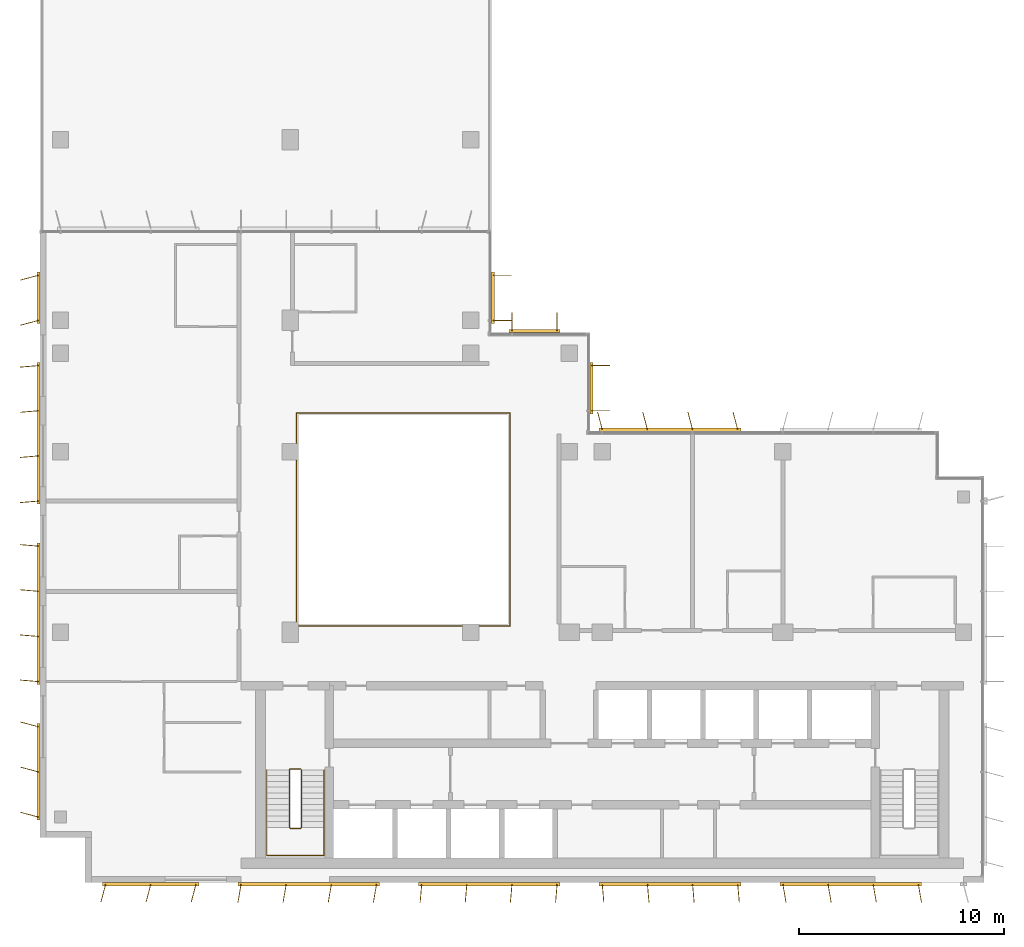
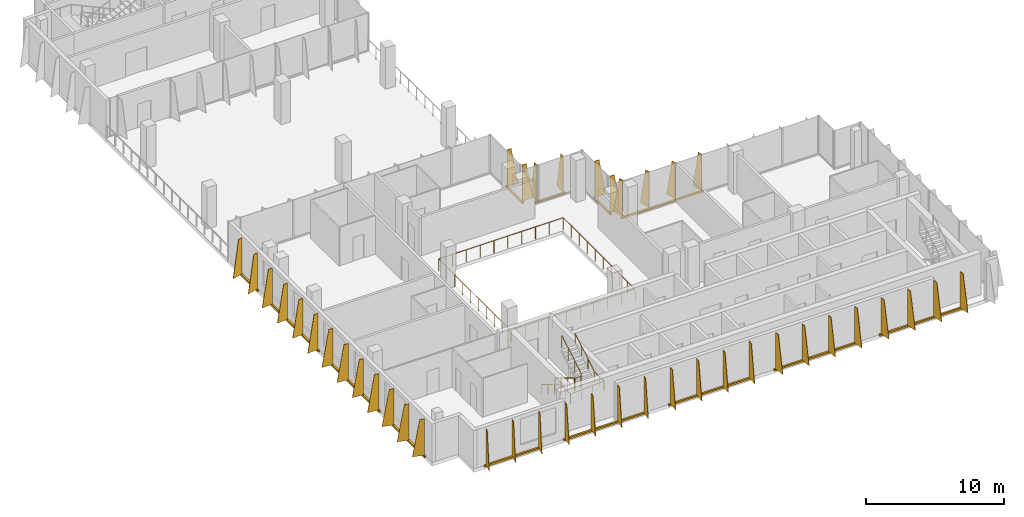
# One storey, part 13 of 15: 13 shading devices, 3 railings.
"""IFC4 building model written with IfcOpenShell, lengths in metres."""

from ifc_helpers import new_model, si_unit, direction, frame, origin, origin_2d, place, context, subcontext, project, spatial, polyline, rectangle, circle, outline, extrude, source, transform, mapped, material, layer, layer_set, type_object, element, save


model = new_model("IFC4")

# Units and contexts
model_context = context("Model", 3, precision=1e-05, world=origin(), true_north=direction((0.0, 1.0)))
body_context = subcontext(model_context, "Body", "Model", "MODEL_VIEW")
ifc_project = project(units=[si_unit("LENGTHUNIT", "METRE"), si_unit("AREAUNIT", "SQUARE_METRE"), si_unit("VOLUMEUNIT", "CUBIC_METRE"), si_unit("PLANEANGLEUNIT", "RADIAN"), si_unit("MASSUNIT", "GRAM", prefix="KILO")], contexts=[model_context])

# Site, building, storey
site_placement = place(None, origin())
site = spatial("IfcSite", under=ifc_project, at=site_placement, CompositionType="ELEMENT")
building_placement = place(site_placement, origin())
building = spatial("IfcBuilding", under=site, at=building_placement, Name="Kemantara Hotel Tower", CompositionType="ELEMENT")
storey_placement = place(building_placement, frame((0.0, 0.0, 241.300048828125)))
storey = spatial("IfcBuildingStorey", under=building, at=storey_placement, Name="L60", CompositionType="ELEMENT", Elevation=241.300048828125)

# Railings
ifc_material_1 = material(Name="Stainless steel and laminated glass balustrade", Category="steel")
railing_type_1 = type_object("IfcRailingType", Name="ATRIUM GUARD 1100", PredefinedType="GUARDRAIL", material=ifc_material_1)
railing_1_placement = place(storey_placement, frame((12.56005859375, 12.5, 0.0)))
element("IfcRailing", 1, at=railing_1_placement, inside=storey, type_object=railing_type_1, Name="ATRIUM GUARD L60", PredefinedType="GUARDRAIL", context=body_context, shape_type="SweptSolid", body=[
    extrude(circle(Radius=0.02490234375, at=origin_2d()), frame((0.0, 0.0, 1.0751953125), z_axis=(1.0, 0.0, 0.0), x_axis=(0.0, 1.0, 0.0)), (0.0, 0.0, 1.0), 10.33984375),
    extrude(circle(Radius=0.02490234375, at=origin_2d()), frame((10.33984375, 0.0, 1.0751953125), z_axis=(0.0, 1.0, 0.0), x_axis=(-1.0, 0.0, 0.0)), (0.0, 0.0, 1.0), 10.39990234375),
    extrude(circle(Radius=0.02490234375, at=origin_2d()), frame((10.33984375, 10.39990234375, 1.0751953125), z_axis=(-1.0, 0.0, 0.0), x_axis=(0.0, -1.0, 0.0)), (0.0, 0.0, 1.0), 10.39990234375),
    extrude(circle(Radius=0.02490234375, at=origin_2d()), frame((-0.06005859375, 10.39990234375, 1.0751953125), z_axis=(0.0, -1.0, 0.0), x_axis=(1.0, 0.0, 0.0)), (0.0, 0.0, 1.0), 10.39990234375),
    extrude(circle(Radius=0.02001953125, at=origin_2d()), origin(), (0.0, 0.0, 1.0), 1.050048828125),
    extrude(circle(Radius=0.02001953125, at=origin_2d()), frame((1.14892578125, 0.0, 0.0)), (0.0, 0.0, 1.0), 1.050048828125),
    extrude(circle(Radius=0.02001953125, at=origin_2d()), frame((2.2978515625, 0.0, 0.0)), (0.0, 0.0, 1.0), 1.050048828125),
    extrude(circle(Radius=0.02001953125, at=origin_2d()), frame((3.446533203125, 0.0, 0.0)), (0.0, 0.0, 1.0), 1.050048828125),
    extrude(circle(Radius=0.02001953125, at=origin_2d()), frame((4.595458984375, 0.0, 0.0)), (0.0, 0.0, 1.0), 1.050048828125),
    extrude(circle(Radius=0.02001953125, at=origin_2d()), frame((5.744384765625, 0.0, 0.0)), (0.0, 0.0, 1.0), 1.050048828125),
    extrude(circle(Radius=0.02001953125, at=origin_2d()), frame((6.893310546875, 0.0, 0.0)), (0.0, 0.0, 1.0), 1.050048828125),
    extrude(circle(Radius=0.02001953125, at=origin_2d()), frame((8.0419921875, 0.0, 0.0)), (0.0, 0.0, 1.0), 1.050048828125),
    extrude(circle(Radius=0.02001953125, at=origin_2d()), frame((9.19091796875, 0.0, 0.0)), (0.0, 0.0, 1.0), 1.050048828125),
    extrude(circle(Radius=0.02001953125, at=origin_2d()), frame((10.33984375, 0.0, 0.0)), (0.0, 0.0, 1.0), 1.050048828125),
    extrude(circle(Radius=0.02001953125, at=origin_2d()), frame((10.33984375, 1.155517578125, 0.0)), (0.0, 0.0, 1.0), 1.050048828125),
    extrude(circle(Radius=0.02001953125, at=origin_2d()), frame((10.33984375, 2.31103515625, 0.0)), (0.0, 0.0, 1.0), 1.050048828125),
    extrude(circle(Radius=0.02001953125, at=origin_2d()), frame((10.33984375, 3.466552734375, 0.0)), (0.0, 0.0, 1.0), 1.050048828125),
    extrude(circle(Radius=0.02001953125, at=origin_2d()), frame((10.33984375, 4.6220703125, 0.0)), (0.0, 0.0, 1.0), 1.050048828125),
    extrude(circle(Radius=0.02001953125, at=origin_2d()), frame((10.33984375, 5.77783203125, 0.0)), (0.0, 0.0, 1.0), 1.050048828125),
    extrude(circle(Radius=0.02001953125, at=origin_2d()), frame((10.33984375, 6.933349609375, 0.0)), (0.0, 0.0, 1.0), 1.050048828125),
    extrude(circle(Radius=0.02001953125, at=origin_2d()), frame((10.33984375, 8.0888671875, 0.0)), (0.0, 0.0, 1.0), 1.050048828125),
    extrude(circle(Radius=0.02001953125, at=origin_2d()), frame((10.33984375, 9.244384765625, 0.0)), (0.0, 0.0, 1.0), 1.050048828125),
    extrude(circle(Radius=0.02001953125, at=origin_2d()), frame((10.33984375, 10.39990234375, 0.0)), (0.0, 0.0, 1.0), 1.050048828125),
    extrude(circle(Radius=0.02001953125, at=origin_2d()), frame((9.184326171875, 10.39990234375, 0.0)), (0.0, 0.0, 1.0), 1.050048828125),
    extrude(circle(Radius=0.02001953125, at=origin_2d()), frame((8.02880859375, 10.39990234375, 0.0)), (0.0, 0.0, 1.0), 1.050048828125),
    extrude(circle(Radius=0.02001953125, at=origin_2d()), frame((6.873291015625, 10.39990234375, 0.0)), (0.0, 0.0, 1.0), 1.050048828125),
    extrude(circle(Radius=0.02001953125, at=origin_2d()), frame((5.7177734375, 10.39990234375, 0.0)), (0.0, 0.0, 1.0), 1.050048828125),
    extrude(circle(Radius=0.02001953125, at=origin_2d()), frame((4.56201171875, 10.39990234375, 0.0)), (0.0, 0.0, 1.0), 1.050048828125),
    extrude(circle(Radius=0.02001953125, at=origin_2d()), frame((3.406494140625, 10.39990234375, 0.0)), (0.0, 0.0, 1.0), 1.050048828125),
    extrude(circle(Radius=0.02001953125, at=origin_2d()), frame((2.2509765625, 10.39990234375, 0.0)), (0.0, 0.0, 1.0), 1.050048828125),
    extrude(circle(Radius=0.02001953125, at=origin_2d()), frame((1.095458984375, 10.39990234375, 0.0)), (0.0, 0.0, 1.0), 1.050048828125),
    extrude(circle(Radius=0.02001953125, at=origin_2d()), frame((-0.06005859375, 10.39990234375, 0.0)), (0.0, 0.0, 1.0), 1.050048828125),
    extrude(circle(Radius=0.02001953125, at=origin_2d()), frame((-0.06005859375, 9.244384765625, 0.0)), (0.0, 0.0, 1.0), 1.050048828125),
    extrude(circle(Radius=0.02001953125, at=origin_2d()), frame((-0.06005859375, 8.0888671875, 0.0)), (0.0, 0.0, 1.0), 1.050048828125),
    extrude(circle(Radius=0.02001953125, at=origin_2d()), frame((-0.06005859375, 6.933349609375, 0.0)), (0.0, 0.0, 1.0), 1.050048828125),
    extrude(circle(Radius=0.02001953125, at=origin_2d()), frame((-0.06005859375, 5.77783203125, 0.0)), (0.0, 0.0, 1.0), 1.050048828125),
    extrude(circle(Radius=0.02001953125, at=origin_2d()), frame((-0.06005859375, 4.6220703125, 0.0)), (0.0, 0.0, 1.0), 1.050048828125),
    extrude(circle(Radius=0.02001953125, at=origin_2d()), frame((-0.06005859375, 3.466552734375, 0.0)), (0.0, 0.0, 1.0), 1.050048828125),
    extrude(circle(Radius=0.02001953125, at=origin_2d()), frame((-0.06005859375, 2.31103515625, 0.0)), (0.0, 0.0, 1.0), 1.050048828125),
    extrude(circle(Radius=0.02001953125, at=origin_2d()), frame((-0.06005859375, 1.155517578125, 0.0)), (0.0, 0.0, 1.0), 1.050048828125),
    extrude(circle(Radius=0.02001953125, at=origin_2d()), frame((-0.06005859375, 0.0, 0.0)), (0.0, 0.0, 1.0), 1.050048828125),
])
ifc_material_2 = material(Name="Stainless steel balustrade", Category="steel")
railing_type_2 = type_object("IfcRailingType", Name="Stair guard 1100 mm", PredefinedType="GUARDRAIL", material=ifc_material_2)
railing_2_placement = place(storey_placement, frame((12.75, 5.5, 3.699951171875)))
element("IfcRailing", 2, at=railing_2_placement, inside=storey, type_object=railing_type_2, Name="L60 ST1 stair guard 1", PredefinedType="GUARDRAIL", context=body_context, shape_type="SweptSolid", body=[
    extrude(circle(Radius=0.02392578125, at=origin_2d()), frame((0.0, 0.0, 1.076171875), z_axis=(0.0, -0.857242210791, -0.514913383045), x_axis=(1.0, 0.0, 0.0)), (0.0, 0.0, 1.0), 3.266357421875),
    extrude(circle(Radius=0.02392578125, at=origin_2d()), frame((0.0, -2.800048828125, -0.60595703125), z_axis=(-0.274243871929, -0.274243871929, -0.92172696468), x_axis=(0.707106781187, -0.707106781187, 0.0)), (0.0, 0.0, 1.0), 0.1826171875),
    extrude(circle(Radius=0.02392578125, at=origin_2d()), frame((-0.050048828125, -2.85009765625, -0.77392578125), z_axis=(-1.0, 0.0, 0.0), x_axis=(0.0, -1.0, 0.0)), (0.0, 0.0, 1.0), 0.5),
    extrude(circle(Radius=0.02392578125, at=origin_2d()), frame((-0.550048828125, -2.85009765625, -0.77392578125), z_axis=(-0.707106781187, 0.707106781187, 0.0), x_axis=(-0.707106781187, -0.707106781187, 0.0)), (0.0, 0.0, 1.0), 0.07080078125),
    extrude(circle(Radius=0.02392578125, at=origin_2d()), frame((-0.60009765625, -2.800048828125, -0.77392578125), z_axis=(0.0, 0.857275202839, -0.514858452973), x_axis=(-1.0, 0.0, 0.0)), (0.0, 0.0, 1.0), 3.26611328125),
    extrude(circle(Radius=0.02392578125, at=origin_2d()), frame((-0.60009765625, 0.0, -2.45556640625), z_axis=(0.274243871929, 0.274243871929, -0.92172696468), x_axis=(-0.707106781187, 0.707106781187, 0.0)), (0.0, 0.0, 1.0), 0.1826171875),
    extrude(circle(Radius=0.02392578125, at=origin_2d()), frame((-0.550048828125, 0.050048828125, -2.6240234375), z_axis=(1.0, 0.0, 0.0), x_axis=(0.0, 1.0, 0.0)), (0.0, 0.0, 1.0), 0.5),
    extrude(circle(Radius=0.02099609375, at=origin_2d()), origin(), (0.0, 0.0, 1.0), 1.052001953125),
    extrude(circle(Radius=0.02099609375, at=origin_2d()), frame((0.0, -0.933349609375, -0.560546875)), (0.0, 0.0, 1.0), 1.052001953125),
    extrude(circle(Radius=0.02099609375, at=origin_2d()), frame((0.0, -1.86669921875, -1.121337890625)), (0.0, 0.0, 1.0), 1.052001953125),
    extrude(circle(Radius=0.02099609375, at=origin_2d()), frame((0.0, -2.800048828125, -1.681884765625)), (0.0, 0.0, 1.0), 1.052001953125),
    extrude(circle(Radius=0.02099609375, at=origin_2d()), frame((-0.050048828125, -2.85009765625, -1.85009765625)), (0.0, 0.0, 1.0), 1.052001953125),
    extrude(circle(Radius=0.02099609375, at=origin_2d()), frame((-0.550048828125, -2.85009765625, -1.85009765625)), (0.0, 0.0, 1.0), 1.052001953125),
    extrude(circle(Radius=0.02099609375, at=origin_2d()), frame((-0.60009765625, -2.800048828125, -1.85009765625)), (0.0, 0.0, 1.0), 1.052001953125),
    extrude(circle(Radius=0.02099609375, at=origin_2d()), frame((-0.60009765625, -1.86669921875, -2.41064453125)), (0.0, 0.0, 1.0), 1.052001953125),
    extrude(circle(Radius=0.02099609375, at=origin_2d()), frame((-0.60009765625, -0.933349609375, -2.97119140625)), (0.0, 0.0, 1.0), 1.052001953125),
    extrude(circle(Radius=0.02099609375, at=origin_2d()), frame((-0.60009765625, 0.0, -3.53173828125)), (0.0, 0.0, 1.0), 1.052001953125),
    extrude(circle(Radius=0.02099609375, at=origin_2d()), frame((-0.550048828125, 0.050048828125, -3.699951171875)), (0.0, 0.0, 1.0), 1.052001953125),
    extrude(circle(Radius=0.02099609375, at=origin_2d()), frame((-0.050048828125, 0.050048828125, -3.699951171875)), (0.0, 0.0, 1.0), 1.052001953125),
])
railing_type_3 = type_object("IfcRailingType", Name="Stair handrail 900 mm", PredefinedType="HANDRAIL", material=ifc_material_2)
railing_3_placement = place(storey_placement, frame((11.050048828125, 5.5, 0.168212890625)))
element("IfcRailing", 3, at=railing_3_placement, inside=storey, type_object=railing_type_3, Name="L60 ST1 stair handrail 1", PredefinedType="HANDRAIL", context=body_context, shape_type="SweptSolid", body=[
    extrude(circle(Radius=0.02392578125, at=origin_2d()), frame((0.0, 0.0, 0.8759765625), z_axis=(0.0, -0.857275202839, 0.514858452973), x_axis=(1.0, 0.0, 0.0)), (0.0, 0.0, 1.0), 3.26611328125),
    extrude(circle(Radius=0.02392578125, at=origin_2d()), frame((0.0, -2.800048828125, 2.5576171875), z_axis=(0.0, -1.0, 0.0), x_axis=(1.0, 0.0, 0.0)), (0.0, 0.0, 1.0), 1.3798828125),
    extrude(circle(Radius=0.02392578125, at=origin_2d()), frame((0.0, -4.179931640625, 2.5576171875), z_axis=(0.998200367801, 0.0, 0.059966871865), x_axis=(0.0, 1.0, 0.0)), (0.0, 0.0, 1.0), 2.80517578125),
    extrude(circle(Radius=0.02392578125, at=origin_2d()), frame((2.800048828125, -4.179931640625, 2.7255859375), z_axis=(0.0, 1.0, 0.0), x_axis=(-1.0, 0.0, 0.0)), (0.0, 0.0, 1.0), 1.3798828125),
    extrude(circle(Radius=0.02392578125, at=origin_2d()), frame((2.800048828125, -2.800048828125, 2.7255859375), z_axis=(0.0, 0.857242210791, 0.514913383045), x_axis=(-1.0, 0.0, 0.0)), (0.0, 0.0, 1.0), 3.266357421875),
    extrude(circle(Radius=0.02099609375, at=origin_2d()), origin(), (0.0, 0.0, 1.0), 0.851806640625),
    extrude(circle(Radius=0.02099609375, at=origin_2d()), frame((0.0, -0.933349609375, 0.560546875)), (0.0, 0.0, 1.0), 0.851806640625),
    extrude(circle(Radius=0.02099609375, at=origin_2d()), frame((0.0, -1.86669921875, 1.12109375)), (0.0, 0.0, 1.0), 0.851806640625),
    extrude(circle(Radius=0.02099609375, at=origin_2d()), frame((0.0, -2.800048828125, 1.681640625)), (0.0, 0.0, 1.0), 0.851806640625),
    extrude(circle(Radius=0.02099609375, at=origin_2d()), frame((0.0, -3.489990234375, 1.681640625)), (0.0, 0.0, 1.0), 0.851806640625),
    extrude(circle(Radius=0.02099609375, at=origin_2d()), frame((0.0, -4.179931640625, 1.681640625)), (0.0, 0.0, 1.0), 0.851806640625),
    extrude(circle(Radius=0.02099609375, at=origin_2d()), frame((0.933349609375, -4.179931640625, 1.73779296875)), (0.0, 0.0, 1.0), 0.851806640625),
    extrude(circle(Radius=0.02099609375, at=origin_2d()), frame((1.86669921875, -4.179931640625, 1.793701171875)), (0.0, 0.0, 1.0), 0.851806640625),
    extrude(circle(Radius=0.02099609375, at=origin_2d()), frame((2.800048828125, -4.179931640625, 1.849853515625)), (0.0, 0.0, 1.0), 0.851806640625),
    extrude(circle(Radius=0.02099609375, at=origin_2d()), frame((2.800048828125, -3.489990234375, 1.849853515625)), (0.0, 0.0, 1.0), 0.851806640625),
    extrude(circle(Radius=0.02099609375, at=origin_2d()), frame((2.800048828125, -2.800048828125, 1.849853515625)), (0.0, 0.0, 1.0), 0.851806640625),
    extrude(circle(Radius=0.02099609375, at=origin_2d()), frame((2.800048828125, -1.86669921875, 2.410400390625)), (0.0, 0.0, 1.0), 0.851806640625),
    extrude(circle(Radius=0.02099609375, at=origin_2d()), frame((2.800048828125, -0.933349609375, 2.97119140625)), (0.0, 0.0, 1.0), 0.851806640625),
    extrude(circle(Radius=0.02099609375, at=origin_2d()), frame((2.800048828125, 0.0, 3.53173828125)), (0.0, 0.0, 1.0), 0.851806640625),
])

# Shading devices
ifc_material_3 = material(Name="Perforated aluminium plate 4 mm bronze anodised", Category="aluminium")
ifc_layer_1 = layer(ifc_material_3, 0.0400390625)
ifc_layer_set_1 = layer_set([ifc_layer_1], Name="Perforated aluminium plate 4 mm bronze anodised")
shading_device_type_1 = type_object("IfcShadingDeviceType", Name="SCREEN FIN CASSETTE, 3 BLADES AT -15.0 DEG, 3200 HIGH", PredefinedType="USERDEFINED", material=ifc_layer_set_1)
shared_shape_1 = source(origin(), body_context, "Body", "SweptSolid", [
    extrude(rectangle(XDim=4.699951171875, YDim=0.14990234375, at=origin_2d()), frame((2.199951171875, -0.074951171875, -0.14990234375), z_axis=(0.0, 0.0, 1.0), x_axis=(1.0, 0.0, 0.0)), (0.0, 0.0, 1.0), 0.14990234375),
    extrude(outline(polyline([(0.0, 0.0), (0.89990234375, 0.0), (0.35009765625, 3.199951171875), (0.0, 3.199951171875), (0.0, 0.0)])), frame((0.019287109375, -0.080078125, 0.0), z_axis=(-0.966437683387, 0.256901156343, 0.0), x_axis=(-0.256901156343, -0.966437683387, 0.0)), (0.0, 0.0, 1.0), 0.039794921875),
    extrude(outline(polyline([(0.0, 0.0), (0.89990234375, 0.0), (0.35009765625, 3.199951171875), (0.0, 3.199951171875), (0.0, 0.0)])), frame((2.21923828125, -0.080078125, 0.0), z_axis=(-0.966437683387, 0.256901156343, 0.0), x_axis=(-0.256901156343, -0.966437683387, 0.0)), (0.0, 0.0, 1.0), 0.039794921875),
    extrude(outline(polyline([(0.0, 0.0), (0.89990234375, 0.0), (0.35009765625, 3.199951171875), (0.0, 3.199951171875), (0.0, 0.0)])), frame((4.41943359375, -0.080078125, 0.0), z_axis=(-0.966837822169, 0.255391122837, 0.0), x_axis=(-0.255391122837, -0.966837822169, 0.0)), (0.0, 0.0, 1.0), 0.0400390625),
])
for number, where, z_axis, x_axis, name in (
    (4, (0.0, 7.60009765625, 0.099853515625), (0.0, 0.0, 1.0), (0.0, -1.0, 0.0), "SCREEN FIN CASSETTE L60 T4P-R02-4"),
    (5, (3.199951171875, 0.0, 0.099853515625), (0.0, 0.0, 1.0), (1.0, 0.0, 0.0), "SCREEN FIN CASSETTE L60 T4P-R05-1"),
):
    element("IfcShadingDevice", number, at=place(storey_placement, frame(where, z_axis=z_axis, x_axis=x_axis)), inside=storey, type_object=shading_device_type_1, Name=name, ObjectType="SCREEN FIN", PredefinedType="USERDEFINED", context=body_context, shape_type="MappedRepresentation", body=[
        mapped(shared_shape_1, transform((0.0, 0.0, 0.0))),
    ])
ifc_layer_2 = layer(ifc_material_3, 0.0400390625)
ifc_layer_set_2 = layer_set([ifc_layer_2], Name="Perforated aluminium plate 4 mm bronze anodised")
shading_device_type_2 = type_object("IfcShadingDeviceType", Name="SCREEN FIN CASSETTE, 4 BLADES AT -10.0 DEG, 3200 HIGH", PredefinedType="USERDEFINED", material=ifc_layer_set_2)
shared_shape_2 = source(origin(), body_context, "Body", "SweptSolid", [
    extrude(rectangle(XDim=6.89990234375, YDim=0.14990234375, at=origin_2d()), frame((3.300048828125, -0.074951171875, -0.14990234375), z_axis=(0.0, 0.0, 1.0), x_axis=(1.0, 0.0, 0.0)), (0.0, 0.0, 1.0), 0.14990234375),
    extrude(outline(polyline([(0.0, 0.0), (0.89990234375, 0.0), (0.35009765625, 3.199951171875), (0.0, 3.199951171875), (0.0, 0.0)])), frame((0.019775390625, -0.078369140625, 0.0), z_axis=(-0.985389793052, 0.170314285219, 0.0), x_axis=(-0.170314285219, -0.985389793052, 0.0)), (0.0, 0.0, 1.0), 0.0400390625),
    extrude(outline(polyline([(0.0, 0.0), (0.89990234375, 0.0), (0.35009765625, 3.199951171875), (0.0, 3.199951171875), (0.0, 0.0)])), frame((2.2197265625, -0.078369140625, 0.0), z_axis=(-0.98521175482, 0.171341174751, 0.0), x_axis=(-0.171341174751, -0.98521175482, 0.0)), (0.0, 0.0, 1.0), 0.039794921875),
    extrude(outline(polyline([(0.0, 0.0), (0.89990234375, 0.0), (0.35009765625, 3.199951171875), (0.0, 3.199951171875), (0.0, 0.0)])), frame((4.419677734375, -0.078369140625, 0.0), z_axis=(-0.98521175482, 0.171341174751, 0.0), x_axis=(-0.171341174751, -0.98521175482, 0.0)), (0.0, 0.0, 1.0), 0.039794921875),
    extrude(outline(polyline([(0.0, 0.0), (0.89990234375, 0.0), (0.35009765625, 3.199951171875), (0.0, 3.199951171875), (0.0, 0.0)])), frame((6.61962890625, -0.078369140625, 0.0), z_axis=(-0.98521175482, 0.171341174751, 0.0), x_axis=(-0.171341174751, -0.98521175482, 0.0)), (0.0, 0.0, 1.0), 0.039794921875),
])
shading_device_1_placement = place(storey_placement, frame((9.800048828125, 0.0, 0.099853515625), z_axis=(0.0, 0.0, 1.0), x_axis=(1.0, 0.0, 0.0)))
element("IfcShadingDevice", 6, at=shading_device_1_placement, inside=storey, type_object=shading_device_type_2, Name="SCREEN FIN CASSETTE L60 T4P-R05-2", ObjectType="SCREEN FIN", PredefinedType="USERDEFINED", context=body_context, shape_type="MappedRepresentation", body=[
    mapped(shared_shape_2, transform((0.0, 0.0, 0.0))),
])
ifc_layer_3 = layer(ifc_material_3, 0.0400390625)
ifc_layer_set_3 = layer_set([ifc_layer_3], Name="Perforated aluminium plate 4 mm bronze anodised")
shading_device_type_3 = type_object("IfcShadingDeviceType", Name="SCREEN FIN CASSETTE, 4 BLADES AT -5.0 DEG, 3200 HIGH", PredefinedType="USERDEFINED", material=ifc_layer_set_3)
shared_shape_3 = source(origin(), body_context, "Body", "SweptSolid", [
    extrude(rectangle(XDim=6.89990234375, YDim=0.14990234375, at=origin_2d()), frame((3.300048828125, -0.074951171875, -0.14990234375), z_axis=(0.0, 0.0, 1.0), x_axis=(1.0, 0.0, 0.0)), (0.0, 0.0, 1.0), 0.14990234375),
    extrude(outline(polyline([(0.0, 0.0), (0.89990234375, 0.0), (0.35009765625, 3.199951171875), (0.0, 3.199951171875), (0.0, 0.0)])), frame((0.02001953125, -0.07666015625, 0.0), z_axis=(-0.996376129781, 0.085056498884, 0.0), x_axis=(-0.085056498884, -0.996376129781, 0.0)), (0.0, 0.0, 1.0), 0.040283203125),
    extrude(outline(polyline([(0.0, 0.0), (0.89990234375, 0.0), (0.35009765625, 3.199951171875), (0.0, 3.199951171875), (0.0, 0.0)])), frame((2.219970703125, -0.07666015625, 0.0), z_axis=(-0.996331773833, 0.085574508182, 0.0), x_axis=(-0.085574508182, -0.996331773833, 0.0)), (0.0, 0.0, 1.0), 0.0400390625),
    extrude(outline(polyline([(0.0, 0.0), (0.89990234375, 0.0), (0.35009765625, 3.199951171875), (0.0, 3.199951171875), (0.0, 0.0)])), frame((4.419921875, -0.07666015625, 0.0), z_axis=(-0.996331773833, 0.085574508182, 0.0), x_axis=(-0.085574508182, -0.996331773833, 0.0)), (0.0, 0.0, 1.0), 0.0400390625),
    extrude(outline(polyline([(0.0, 0.0), (0.89990234375, 0.0), (0.35009765625, 3.199951171875), (0.0, 3.199951171875), (0.0, 0.0)])), frame((6.619873046875, -0.07666015625, 0.0), z_axis=(-0.996331773833, 0.085574508182, 0.0), x_axis=(-0.085574508182, -0.996331773833, 0.0)), (0.0, 0.0, 1.0), 0.0400390625),
])
for number, where, z_axis, x_axis, name in (
    (7, (0.0, 16.39990234375, 0.099853515625), (0.0, 0.0, 1.0), (0.0, -1.0, 0.0), "SCREEN FIN CASSETTE L60 T4P-R02-3"),
    (8, (18.60009765625, 0.0, 0.099853515625), (0.0, 0.0, 1.0), (1.0, 0.0, 0.0), "SCREEN FIN CASSETTE L60 T4P-R05-3"),
):
    element("IfcShadingDevice", number, at=place(storey_placement, frame(where, z_axis=z_axis, x_axis=x_axis)), inside=storey, type_object=shading_device_type_3, Name=name, ObjectType="SCREEN FIN", PredefinedType="USERDEFINED", context=body_context, shape_type="MappedRepresentation", body=[
        mapped(shared_shape_3, transform((0.0, 0.0, 0.0))),
    ])
ifc_layer_4 = layer(ifc_material_3, 0.0400390625)
ifc_layer_set_4 = layer_set([ifc_layer_4], Name="Perforated aluminium plate 4 mm bronze anodised")
shading_device_type_4 = type_object("IfcShadingDeviceType", Name="SCREEN FIN CASSETTE, 4 BLADES AT +5.0 DEG, 3200 HIGH", PredefinedType="USERDEFINED", material=ifc_layer_set_4)
shared_shape_4 = source(origin(), body_context, "Body", "SweptSolid", [
    extrude(rectangle(XDim=6.89990234375, YDim=0.14990234375, at=origin_2d()), frame((3.300048828125, -0.074951171875, -0.14990234375), z_axis=(0.0, 0.0, 1.0), x_axis=(1.0, 0.0, 0.0)), (0.0, 0.0, 1.0), 0.14990234375),
    extrude(outline(polyline([(0.0, 0.0), (0.89990234375, 0.0), (0.35009765625, 3.199951171875), (0.0, 3.199951171875), (0.0, 0.0)])), frame((0.02001953125, -0.0732421875, 0.0), z_axis=(-0.996376129781, -0.085056498884, 0.0), x_axis=(0.085056498884, -0.996376129781, 0.0)), (0.0, 0.0, 1.0), 0.040283203125),
    extrude(outline(polyline([(0.0, 0.0), (0.89990234375, 0.0), (0.35009765625, 3.199951171875), (0.0, 3.199951171875), (0.0, 0.0)])), frame((2.219970703125, -0.0732421875, 0.0), z_axis=(-0.996331773833, -0.085574508182, 0.0), x_axis=(0.085574508182, -0.996331773833, 0.0)), (0.0, 0.0, 1.0), 0.0400390625),
    extrude(outline(polyline([(0.0, 0.0), (0.89990234375, 0.0), (0.35009765625, 3.199951171875), (0.0, 3.199951171875), (0.0, 0.0)])), frame((4.419921875, -0.0732421875, 0.0), z_axis=(-0.996331773833, -0.085574508182, 0.0), x_axis=(0.085574508182, -0.996331773833, 0.0)), (0.0, 0.0, 1.0), 0.0400390625),
    extrude(outline(polyline([(0.0, 0.0), (0.89990234375, 0.0), (0.35009765625, 3.199951171875), (0.0, 3.199951171875), (0.0, 0.0)])), frame((6.619873046875, -0.0732421875, 0.0), z_axis=(-0.996331773833, -0.085574508182, 0.0), x_axis=(0.085574508182, -0.996331773833, 0.0)), (0.0, 0.0, 1.0), 0.0400390625),
])
for number, where, z_axis, x_axis, name in (
    (9, (0.0, 25.199951171875, 0.099853515625), (0.0, 0.0, 1.0), (0.0, -1.0, 0.0), "SCREEN FIN CASSETTE L60 T4P-R02-2"),
    (10, (27.39990234375, 0.0, 0.099853515625), (0.0, 0.0, 1.0), (1.0, 0.0, 0.0), "SCREEN FIN CASSETTE L60 T4P-R05-4"),
):
    element("IfcShadingDevice", number, at=place(storey_placement, frame(where, z_axis=z_axis, x_axis=x_axis)), inside=storey, type_object=shading_device_type_4, Name=name, ObjectType="SCREEN FIN", PredefinedType="USERDEFINED", context=body_context, shape_type="MappedRepresentation", body=[
        mapped(shared_shape_4, transform((0.0, 0.0, 0.0))),
    ])
ifc_layer_5 = layer(ifc_material_3, 0.0400390625)
ifc_layer_set_5 = layer_set([ifc_layer_5], Name="Perforated aluminium plate 4 mm bronze anodised")
shading_device_type_5 = type_object("IfcShadingDeviceType", Name="SCREEN FIN CASSETTE, 4 BLADES AT +10.0 DEG, 3200 HIGH", PredefinedType="USERDEFINED", material=ifc_layer_set_5)
shared_shape_5 = source(origin(), body_context, "Body", "SweptSolid", [
    extrude(rectangle(XDim=6.89990234375, YDim=0.14990234375, at=origin_2d()), frame((3.300048828125, -0.074951171875, -0.14990234375), z_axis=(0.0, 0.0, 1.0), x_axis=(1.0, 0.0, 0.0)), (0.0, 0.0, 1.0), 0.14990234375),
    extrude(outline(polyline([(0.0, 0.0), (0.89990234375, 0.0), (0.35009765625, 3.199951171875), (0.0, 3.199951171875), (0.0, 0.0)])), frame((0.019775390625, -0.071533203125, 0.0), z_axis=(-0.985389793052, -0.170314285219, 0.0), x_axis=(0.170314285219, -0.985389793052, 0.0)), (0.0, 0.0, 1.0), 0.0400390625),
    extrude(outline(polyline([(0.0, 0.0), (0.89990234375, 0.0), (0.35009765625, 3.199951171875), (0.0, 3.199951171875), (0.0, 0.0)])), frame((2.2197265625, -0.071533203125, 0.0), z_axis=(-0.98521175482, -0.171341174751, 0.0), x_axis=(0.171341174751, -0.98521175482, 0.0)), (0.0, 0.0, 1.0), 0.039794921875),
    extrude(outline(polyline([(0.0, 0.0), (0.89990234375, 0.0), (0.35009765625, 3.199951171875), (0.0, 3.199951171875), (0.0, 0.0)])), frame((4.419677734375, -0.071533203125, 0.0), z_axis=(-0.98521175482, -0.171341174751, 0.0), x_axis=(0.171341174751, -0.98521175482, 0.0)), (0.0, 0.0, 1.0), 0.039794921875),
    extrude(outline(polyline([(0.0, 0.0), (0.89990234375, 0.0), (0.35009765625, 3.199951171875), (0.0, 3.199951171875), (0.0, 0.0)])), frame((6.61962890625, -0.071533203125, 0.0), z_axis=(-0.98521175482, -0.171341174751, 0.0), x_axis=(0.171341174751, -0.98521175482, 0.0)), (0.0, 0.0, 1.0), 0.039794921875),
])
shading_device_2_placement = place(storey_placement, frame((36.199951171875, 0.0, 0.099853515625), z_axis=(0.0, 0.0, 1.0), x_axis=(1.0, 0.0, 0.0)))
element("IfcShadingDevice", 11, at=shading_device_2_placement, inside=storey, type_object=shading_device_type_5, Name="SCREEN FIN CASSETTE L60 T4P-R05-5", ObjectType="SCREEN FIN", PredefinedType="USERDEFINED", context=body_context, shape_type="MappedRepresentation", body=[
    mapped(shared_shape_5, transform((0.0, 0.0, 0.0))),
])
ifc_layer_6 = layer(ifc_material_3, 0.0400390625)
ifc_layer_set_6 = layer_set([ifc_layer_6], Name="Perforated aluminium plate 4 mm bronze anodised")
shading_device_type_6 = type_object("IfcShadingDeviceType", Name="SCREEN FIN CASSETTE, 4 BLADES AT +15.0 DEG, 3200 HIGH", PredefinedType="USERDEFINED", material=ifc_layer_set_6)
shared_shape_6 = source(origin(), body_context, "Body", "SweptSolid", [
    extrude(rectangle(XDim=6.89990234375, YDim=0.14990234375, at=origin_2d()), frame((3.300048828125, -0.074951171875, -0.14990234375), z_axis=(0.0, 0.0, 1.0), x_axis=(1.0, 0.0, 0.0)), (0.0, 0.0, 1.0), 0.14990234375),
    extrude(outline(polyline([(0.0, 0.0), (0.89990234375, 0.0), (0.35009765625, 3.199951171875), (0.0, 3.199951171875), (0.0, 0.0)])), frame((0.019287109375, -0.06982421875, 0.0), z_axis=(-0.966437683387, -0.256901156343, 0.0), x_axis=(0.256901156343, -0.966437683387, 0.0)), (0.0, 0.0, 1.0), 0.039794921875),
    extrude(outline(polyline([(0.0, 0.0), (0.89990234375, 0.0), (0.35009765625, 3.199951171875), (0.0, 3.199951171875), (0.0, 0.0)])), frame((2.21923828125, -0.06982421875, 0.0), z_axis=(-0.966437683387, -0.256901156343, 0.0), x_axis=(0.256901156343, -0.966437683387, 0.0)), (0.0, 0.0, 1.0), 0.039794921875),
    extrude(outline(polyline([(0.0, 0.0), (0.89990234375, 0.0), (0.35009765625, 3.199951171875), (0.0, 3.199951171875), (0.0, 0.0)])), frame((4.41943359375, -0.06982421875, 0.0), z_axis=(-0.966837822169, -0.255391122837, 0.0), x_axis=(0.255391122837, -0.966837822169, 0.0)), (0.0, 0.0, 1.0), 0.0400390625),
    extrude(outline(polyline([(0.0, 0.0), (0.89990234375, 0.0), (0.35009765625, 3.199951171875), (0.0, 3.199951171875), (0.0, 0.0)])), frame((6.619384765625, -0.06982421875, 0.0), z_axis=(-0.966837822169, -0.255391122837, 0.0), x_axis=(0.255391122837, -0.966837822169, 0.0)), (0.0, 0.0, 1.0), 0.0400390625),
])
shading_device_3_placement = place(storey_placement, frame((34.0, 22.0, 0.099853515625), z_axis=(0.0, 0.0, 1.0), x_axis=(-1.0, 0.0, 0.0)))
element("IfcShadingDevice", 12, at=shading_device_3_placement, inside=storey, type_object=shading_device_type_6, Name="SCREEN FIN CASSETTE L60 T4P-R09-2", ObjectType="SCREEN FIN", PredefinedType="USERDEFINED", context=body_context, shape_type="MappedRepresentation", body=[
    mapped(shared_shape_6, transform((0.0, 0.0, 0.0))),
])
ifc_layer_7 = layer(ifc_material_3, 0.0400390625)
ifc_layer_set_7 = layer_set([ifc_layer_7], Name="Perforated aluminium plate 4 mm bronze anodised")
shading_device_type_7 = type_object("IfcShadingDeviceType", Name="SCREEN FIN CASSETTE, 2 BLADES AT +15.0 DEG, 3200 HIGH", PredefinedType="USERDEFINED", material=ifc_layer_set_7)
shared_shape_7 = source(origin(), body_context, "Body", "SweptSolid", [
    extrude(rectangle(XDim=2.5, YDim=0.14990234375, at=origin_2d()), frame((1.10009765625, -0.074951171875, -0.14990234375), z_axis=(0.0, 0.0, 1.0), x_axis=(1.0, 0.0, 0.0)), (0.0, 0.0, 1.0), 0.14990234375),
    extrude(outline(polyline([(0.0, 0.0), (0.89990234375, 0.0), (0.35009765625, 3.199951171875), (0.0, 3.199951171875), (0.0, 0.0)])), frame((0.019287109375, -0.06982421875, 0.0), z_axis=(-0.966437683387, -0.256901156343, 0.0), x_axis=(0.256901156343, -0.966437683387, 0.0)), (0.0, 0.0, 1.0), 0.039794921875),
    extrude(outline(polyline([(0.0, 0.0), (0.89990234375, 0.0), (0.35009765625, 3.199951171875), (0.0, 3.199951171875), (0.0, 0.0)])), frame((2.21923828125, -0.06982421875, 0.0), z_axis=(-0.966437683387, -0.256901156343, 0.0), x_axis=(0.256901156343, -0.966437683387, 0.0)), (0.0, 0.0, 1.0), 0.039794921875),
])
shading_device_4_placement = place(storey_placement, frame((0.0, 29.60009765625, 0.099853515625), z_axis=(0.0, 0.0, 1.0), x_axis=(0.0, -1.0, 0.0)))
element("IfcShadingDevice", 13, at=shading_device_4_placement, inside=storey, type_object=shading_device_type_7, Name="SCREEN FIN CASSETTE L60 T4P-R02-1", ObjectType="SCREEN FIN", PredefinedType="USERDEFINED", context=body_context, shape_type="MappedRepresentation", body=[
    mapped(shared_shape_7, transform((0.0, 0.0, 0.0))),
])
ifc_layer_8 = layer(ifc_material_3, 0.0400390625)
ifc_layer_set_8 = layer_set([ifc_layer_8], Name="Perforated aluminium plate 4 mm bronze anodised")
shading_device_type_8 = type_object("IfcShadingDeviceType", Name="SCREEN FIN CASSETTE, 2 BLADES AT +0.0 DEG, 3200 HIGH", PredefinedType="USERDEFINED", material=ifc_layer_set_8)
shared_shape_8 = source(origin(), body_context, "Body", "SweptSolid", [
    extrude(rectangle(XDim=2.5, YDim=0.14990234375, at=origin_2d()), frame((1.10009765625, -0.074951171875, -0.14990234375), z_axis=(0.0, 0.0, 1.0), x_axis=(1.0, 0.0, 0.0)), (0.0, 0.0, 1.0), 0.14990234375),
    extrude(outline(polyline([(0.0, 0.0), (0.89990234375, 0.0), (0.35009765625, 3.199951171875), (0.0, 3.199951171875), (0.0, 0.0)])), frame((0.02001953125, -0.074951171875, 0.0), z_axis=(-1.0, 0.0, 0.0), x_axis=(0.0, -1.0, 0.0)), (0.0, 0.0, 1.0), 0.0400390625),
    extrude(outline(polyline([(0.0, 0.0), (0.89990234375, 0.0), (0.35009765625, 3.199951171875), (0.0, 3.199951171875), (0.0, 0.0)])), frame((2.219970703125, -0.074951171875, 0.0), z_axis=(-1.0, 0.0, 0.0), x_axis=(0.0, -1.0, 0.0)), (0.0, 0.0, 1.0), 0.0400390625),
])
for number, where, z_axis, x_axis, name in (
    (14, (22.0, 27.39990234375, 0.099853515625), (0.0, 0.0, 1.0), (0.0, 1.0, 0.0), "SCREEN FIN CASSETTE L60 T4P-R00-1"),
    (15, (26.800048828125, 23.0, 0.099853515625), (0.0, 0.0, 1.0), (0.0, 1.0, 0.0), "SCREEN FIN CASSETTE L60 T4P-R10-1"),
    (16, (25.199951171875, 26.800048828125, 0.099853515625), (0.0, 0.0, 1.0), (-1.0, 0.0, 0.0), "SCREEN FIN CASSETTE L60 T4P-R11-1"),
):
    element("IfcShadingDevice", number, at=place(storey_placement, frame(where, z_axis=z_axis, x_axis=x_axis)), inside=storey, type_object=shading_device_type_8, Name=name, ObjectType="SCREEN FIN", PredefinedType="USERDEFINED", context=body_context, shape_type="MappedRepresentation", body=[
        mapped(shared_shape_8, transform((0.0, 0.0, 0.0))),
    ])

save(model, "model.ifc")
